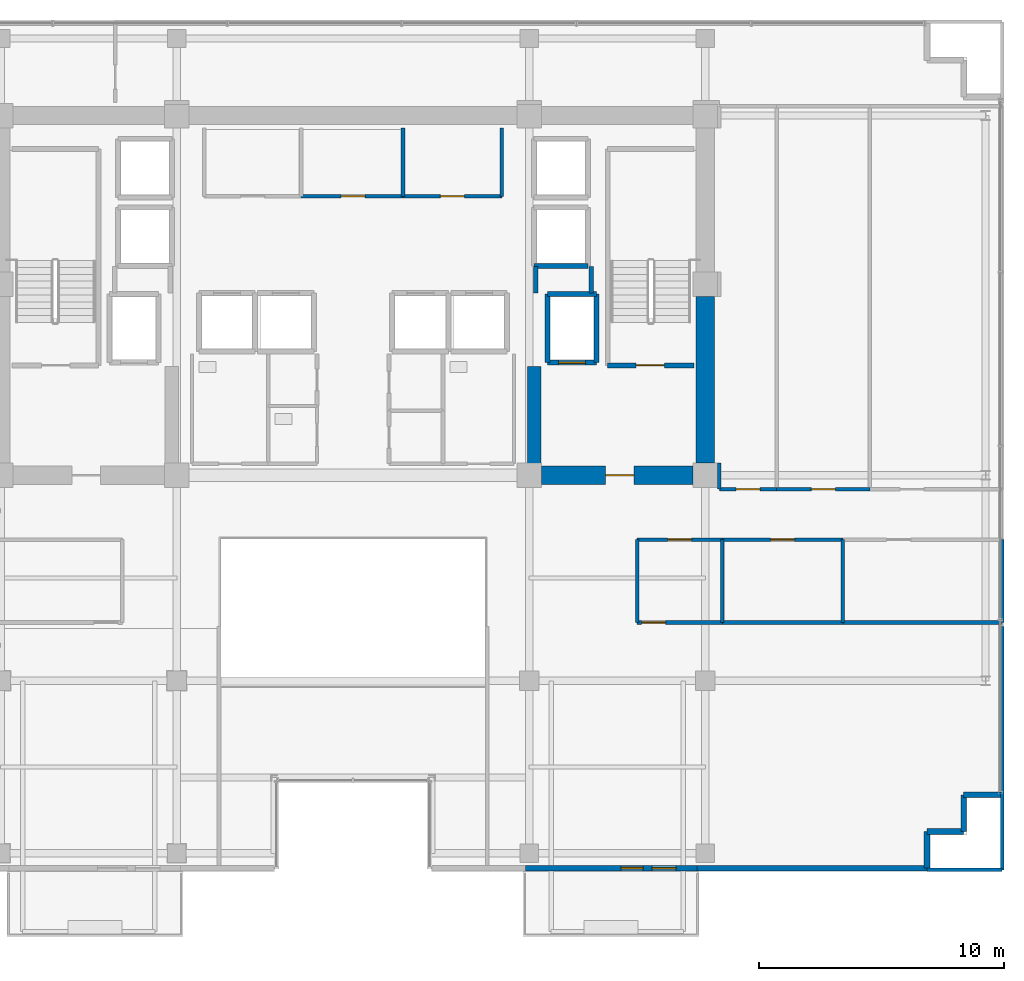
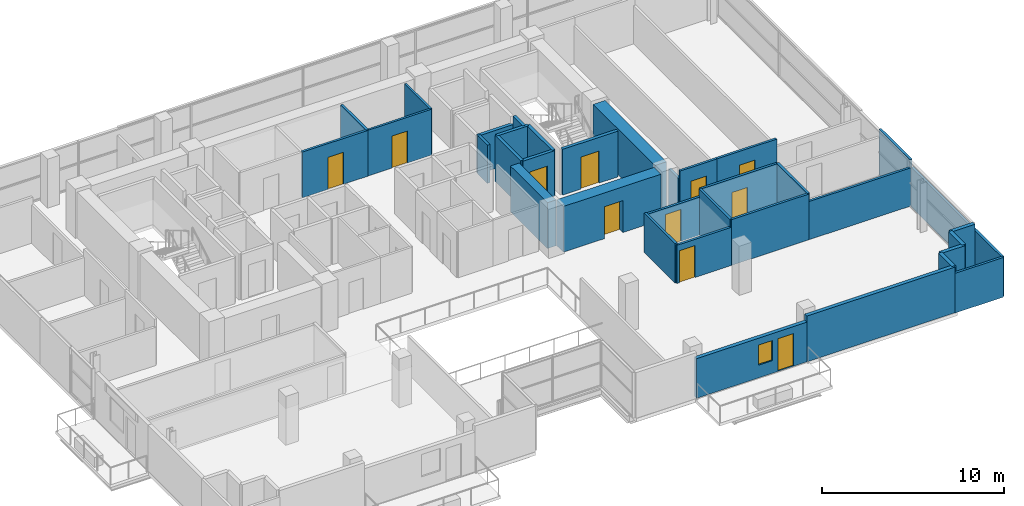
# One storey, part 17 of 22: 35 walls, 11 doors, 1 window, 12 openings.
"""IFC4 building model written with IfcOpenShell, lengths in metres."""

from ifc_helpers import new_model, si_unit, direction, frame, frame_2d, origin, place, context, subcontext, project, spatial, rectangle, extrude, source, transform, mapped, material, layer, layer_set, type_object, element, fill, save


model = new_model("IFC4")

# Units and contexts
model_context = context("Model", 3, precision=1e-05, world=origin(), true_north=direction((0.0, 1.0)))
body_context = subcontext(model_context, "Body", "Model", "MODEL_VIEW")
ifc_project = project(units=[si_unit("LENGTHUNIT", "METRE"), si_unit("AREAUNIT", "SQUARE_METRE"), si_unit("VOLUMEUNIT", "CUBIC_METRE"), si_unit("PLANEANGLEUNIT", "RADIAN"), si_unit("MASSUNIT", "GRAM", prefix="KILO")], contexts=[model_context])

# Site, building, storey
site_placement = place(None, origin())
site = spatial("IfcSite", under=ifc_project, at=site_placement, CompositionType="ELEMENT")
building_placement = place(site_placement, origin())
building = spatial("IfcBuilding", under=site, at=building_placement, Name="Zarnakvel Exchange Tower", CompositionType="ELEMENT")
storey_placement = place(building_placement, frame((0.0, 0.0, 192.39990234375)))
storey = spatial("IfcBuildingStorey", under=building, at=storey_placement, Name="L54", CompositionType="ELEMENT", Elevation=192.39990234375)

# Wall
ifc_material_1 = material(Name="Concrete C60/75", Category="concrete")
ifc_layer_1 = layer(ifc_material_1, 0.75)
ifc_layer_set_1 = layer_set([ifc_layer_1], Name="Concrete C60/75")
wall_type_1 = type_object("IfcWallType", Name="CW-C3", PredefinedType="SHEAR", material=ifc_layer_set_1)
wall_1_placement = place(storey_placement, frame((14.39990234375, -0.699951171875, 0.0), z_axis=(0.0, 0.0, 1.0), x_axis=(0.0, 1.0, 0.0)))
element("IfcWall", 1, at=wall_1_placement, inside=storey, type_object=wall_type_1, Name="L54 Rear Core Shear Wall E1 (CW-C3)", PredefinedType="SHEAR", context=body_context, shape_type="SweptSolid", body=[
    extrude(rectangle(XDim=6.800048828125, YDim=0.75, at=frame_2d((3.39990234375, 0.0))), origin(), (0.0, 0.0, 1.0), 3.0751953125),
])

# Wall, opening, door
wall_2_placement = place(storey_placement, frame((13.89990234375, -1.199951171875, 0.0), z_axis=(0.0, 0.0, 1.0), x_axis=(-1.0, 0.0, 0.0)))
wall_2 = element("IfcWall", 2, at=wall_2_placement, inside=storey, type_object=wall_type_1, Name="L54 Rear Core Shear Wall SE (CW-C3)", PredefinedType="SHEAR", context=body_context, shape_type="SweptSolid", body=[
    extrude(rectangle(XDim=6.199951171875, YDim=0.75, at=frame_2d((3.10009765625, 0.0))), origin(), (0.0, 0.0, 1.0), 3.0751953125),
])
opening_1_placement = place(wall_2_placement, frame((2.425048828125, 0.0, 0.0)))
opening_1 = element("IfcOpeningElement", 3, at=opening_1_placement, cuts=wall_2, Name="Opening D-L54-04", PredefinedType="OPENING", context=body_context, shape_type="SweptSolid", body=[
    extrude(rectangle(XDim=1.14990234375, YDim=2.14990234375, at=frame_2d((0.574951171875, 1.074951171875))), frame((0.0, 0.385009765625, 0.0), z_axis=(0.0, -1.0, 0.0), x_axis=(1.0, 0.0, 0.0)), (0.0, 0.0, 1.0), 0.77001953125),
])
ifc_material_2 = material(Name="Painted Galvanised Steel S355", Category="steel")
door_type_1 = type_object("IfcDoorType", Name="DT-04", OperationType="NOTDEFINED", PredefinedType="DOOR", material=ifc_material_2)
shared_shape_1 = source(origin(), body_context, "Body", "SweptSolid", [
    extrude(rectangle(XDim=1.14990234375, YDim=2.14990234375, at=frame_2d((0.574951171875, 1.074951171875))), frame((0.0, 0.02490234375, 0.0), z_axis=(0.0, -1.0, 0.0), x_axis=(1.0, 0.0, 0.0)), (0.0, 0.0, 1.0), 0.050048828125),
])
door_1_placement = place(opening_1_placement, origin())
door_1 = element("IfcDoor", 4, at=door_1_placement, inside=storey, type_object=door_type_1, Name="L54 Firefighting Lobby East Door D-L54-04", OperationType="SINGLE_SWING_LEFT", OverallHeight=2.14990234375, OverallWidth=1.14990234375, PredefinedType="DOOR", context=body_context, shape_type="MappedRepresentation", body=[
    mapped(shared_shape_1, transform((0.0, 0.0, 0.0), x_axis=(1.0, 0.0, 0.0), y_axis=(0.0, 1.0, 0.0), z_axis=(0.0, 0.0, 1.0), scale=1.0)),
])
fill(opening_1, door_1)

# Wall
ifc_layer_2 = layer(ifc_material_1, 0.550048828125)
ifc_layer_set_2 = layer_set([ifc_layer_2], Name="Concrete C60/75")
wall_type_2 = type_object("IfcWallType", Name="CW-C4", PredefinedType="SHEAR", material=ifc_layer_set_2)
wall_3_placement = place(storey_placement, frame((7.39990234375, -0.824951171875, 0.0), z_axis=(0.0, 0.0, 1.0), x_axis=(0.0, 1.0, 0.0)))
element("IfcWall", 5, at=wall_3_placement, inside=storey, type_object=wall_type_2, Name="L54 Rear Core Shear Wall IE (CW-C4)", PredefinedType="SHEAR", context=body_context, shape_type="SweptSolid", body=[
    extrude(rectangle(XDim=4.074951171875, YDim=0.550048828125, at=frame_2d((2.03759765625, 0.0))), origin(), (0.0, 0.0, 1.0), 3.0751953125),
])

# Wall, openings, door, window
ifc_material_3 = material(Name="Precast concrete C40/50", Category="concrete")
ifc_layer_3 = layer(ifc_material_3, 0.239990234375)
ifc_layer_set_3 = layer_set([ifc_layer_3], Name="Precast concrete C40/50")
wall_type_3 = type_object("IfcWallType", Name="EW-02", PredefinedType="SOLIDWALL", material=ifc_layer_set_3)
wall_4_placement = place(storey_placement, frame((14.050048828125, -17.260009765625, 0.0), z_axis=(0.0, 0.0, 1.0), x_axis=(-1.0, 0.0, 0.0)))
wall_4 = element("IfcWall", 6, at=wall_4_placement, inside=storey, type_object=wall_type_3, Name="L54 Exterior Precast Spandrel Wall EW-BAL-L54-SE (EW-02)", PredefinedType="SOLIDWALL", context=body_context, shape_type="SweptSolid", body=[
    extrude(rectangle(XDim=7.0, YDim=0.239990234375, at=frame_2d((3.5, 0.0))), origin(), (0.0, 0.0, 1.0), 2.6650390625),
])
opening_2_placement = place(wall_4_placement, frame((0.840087890625, 0.0, 0.0)))
opening_2 = element("IfcOpeningElement", 7, at=opening_2_placement, cuts=wall_4, Name="Opening BD-L54-02", PredefinedType="OPENING", context=body_context, shape_type="SweptSolid", body=[
    extrude(rectangle(XDim=1.0, YDim=2.199951171875, at=frame_2d((0.5, 1.10009765625))), frame((0.0, 0.1298828125, 0.0), z_axis=(0.0, -1.0, 0.0), x_axis=(1.0, 0.0, 0.0)), (0.0, 0.0, 1.0), 0.260009765625),
])
opening_3_placement = place(wall_4_placement, frame((2.18994140625, 0.0, 0.85009765625)))
opening_3 = element("IfcOpeningElement", 8, at=opening_3_placement, cuts=wall_4, Name="Opening WN-06", PredefinedType="OPENING", context=body_context, shape_type="SweptSolid", body=[
    extrude(rectangle(XDim=0.89990234375, YDim=1.35009765625, at=frame_2d((0.449951171875, 0.675048828125))), frame((0.0, 0.1298828125, 0.0), z_axis=(0.0, -1.0, 0.0), x_axis=(1.0, 0.0, 0.0)), (0.0, 0.0, 1.0), 0.260009765625),
])
ifc_material_4 = material(Name="Architectural Bronze Anodised Aluminium", Category="aluminium")
door_type_2 = type_object("IfcDoorType", Name="DT-09", OperationType="NOTDEFINED", PredefinedType="DOOR", material=ifc_material_4)
shared_shape_2 = source(origin(), body_context, "Body", "SweptSolid", [
    extrude(rectangle(XDim=1.0, YDim=2.199951171875, at=frame_2d((0.5, 1.10009765625))), frame((0.0, 0.02490234375, 0.0), z_axis=(0.0, -1.0, 0.0), x_axis=(1.0, 0.0, 0.0)), (0.0, 0.0, 1.0), 0.050048828125),
])
door_2_placement = place(opening_2_placement, origin())
door_2 = element("IfcDoor", 9, at=door_2_placement, inside=storey, type_object=door_type_2, Name="L54 Planted Loggia Balcony Door BD-L54-02", OperationType="SINGLE_SWING_LEFT", OverallHeight=2.199951171875, OverallWidth=1.0, PredefinedType="DOOR", context=body_context, shape_type="MappedRepresentation", body=[
    mapped(shared_shape_2, transform((0.0, 0.0, 0.0), x_axis=(1.0, 0.0, 0.0), y_axis=(0.0, 1.0, 0.0), z_axis=(0.0, 0.0, 1.0), scale=1.0)),
])
fill(opening_2, door_2)
ifc_material_5 = material(Name="Double Low-E Laminated Vision Glass", Category="glass")
window_type = type_object("IfcWindowType", Name="WN-06", PartitioningType="SINGLE_PANEL", PredefinedType="WINDOW", material=ifc_material_5)
shared_shape_3 = source(origin(), body_context, "Body", "SweptSolid", [
    extrude(rectangle(XDim=0.89990234375, YDim=1.35009765625, at=frame_2d((0.449951171875, 0.675048828125))), frame((0.0, 0.030029296875, 0.0), z_axis=(0.0, -1.0, 0.0), x_axis=(1.0, 0.0, 0.0)), (0.0, 0.0, 1.0), 0.06005859375),
])
window_placement = place(opening_3_placement, origin())
window = element("IfcWindow", 10, at=window_placement, inside=storey, type_object=window_type, Name="L54 Loggia Daylight Window (WN-06)", OverallHeight=1.35009765625, OverallWidth=0.89990234375, PartitioningType="SINGLE_PANEL", PredefinedType="WINDOW", context=body_context, shape_type="MappedRepresentation", body=[
    mapped(shared_shape_3, transform((0.0, 0.0, 0.0), x_axis=(1.0, 0.0, 0.0), y_axis=(0.0, 1.0, 0.0), z_axis=(0.0, 0.0, 1.0), scale=1.0)),
])
fill(opening_3, window)

# Walls
for number, where, z_axis, x_axis, name in (
    (11, (24.9599609375, -14.260009765625, 0.0), (0.0, 0.0, 1.0), (1.0, 0.0, 0.0), "L54 Exterior Precast Spandrel Wall EWC-L54-11 (EW-02)"),
    (12, (24.9599609375, -15.760009765625, 0.0), (0.0, 0.0, 1.0), (0.0, 1.0, 0.0), "L54 Exterior Precast Spandrel Wall EWC-L54-12 (EW-02)"),
    (13, (23.4599609375, -15.760009765625, 0.0), (0.0, 0.0, 1.0), (1.0, 0.0, 0.0), "L54 Exterior Precast Spandrel Wall EWC-L54-13 (EW-02)"),
    (14, (23.4599609375, -17.260009765625, 0.0), (0.0, 0.0, 1.0), (0.0, 1.0, 0.0), "L54 Exterior Precast Spandrel Wall EWC-L54-14 (EW-02)"),
):
    element("IfcWall", number, at=place(storey_placement, frame(where, z_axis=z_axis, x_axis=x_axis)), inside=storey, type_object=wall_type_3, Name=name, PredefinedType="SOLIDWALL", context=body_context, shape_type="SweptSolid", body=[
        extrude(rectangle(XDim=1.5, YDim=0.239990234375, at=frame_2d((0.75, 0.0))), origin(), (0.0, 0.0, 1.0), 3.0751953125),
    ])
wall_5_placement = place(storey_placement, frame((14.050048828125, -17.260009765625, 0.0), z_axis=(0.0, 0.0, 1.0), x_axis=(1.0, 0.0, 0.0)))
element("IfcWall", 15, at=wall_5_placement, inside=storey, type_object=wall_type_3, Name="L54 Exterior Precast Spandrel Wall EWC-L54-15 (EW-02)", PredefinedType="SOLIDWALL", context=body_context, shape_type="SweptSolid", body=[
    extrude(rectangle(XDim=9.409912109375, YDim=0.239990234375, at=frame_2d((4.705078125, 0.0))), origin(), (0.0, 0.0, 1.0), 3.0751953125),
])

# Wall, opening, door
ifc_material_6 = material(Name="Fire-Rated Gypsum Stud Partition", Category="gypsum")
ifc_layer_4 = layer(ifc_material_6, 0.14990234375)
ifc_layer_set_4 = layer_set([ifc_layer_4], Name="Fire-Rated Gypsum Stud Partition")
wall_type_4 = type_object("IfcWallType", Name="PT-01", PredefinedType="PARTITIONING", material=ifc_layer_set_4)
wall_6_placement = place(storey_placement, frame((2.0400390625, 10.199951171875, 0.0), z_axis=(0.0, 0.0, 1.0), x_axis=(-1.0, 0.0, 0.0)))
wall_6 = element("IfcWall", 16, at=wall_6_placement, inside=storey, type_object=wall_type_4, Name="L54 Partition Wall PWALL-L54-014 (PT-01)", PredefinedType="PARTITIONING", context=body_context, shape_type="SweptSolid", body=[
    extrude(rectangle(XDim=4.16015625, YDim=0.14990234375, at=frame_2d((2.080078125, 0.0))), origin(), (0.0, 0.0, 1.0), 3.0751953125),
])
opening_4_placement = place(wall_6_placement, frame((1.550048828125, 0.0, 0.0)))
opening_4 = element("IfcOpeningElement", 17, at=opening_4_placement, cuts=wall_6, Name="Opening D-L54-06", PredefinedType="OPENING", context=body_context, shape_type="SweptSolid", body=[
    extrude(rectangle(XDim=0.97998046875, YDim=2.14990234375, at=frame_2d((0.489990234375, 1.074951171875))), frame((0.0, 0.0849609375, 0.0), z_axis=(0.0, -1.0, 0.0), x_axis=(1.0, 0.0, 0.0)), (0.0, 0.0, 1.0), 0.169921875),
])
ifc_material_7 = material(Name="Timber Acoustic Veneer", Category="wood")
door_type_3 = type_object("IfcDoorType", Name="DT-05", OperationType="NOTDEFINED", PredefinedType="DOOR", material=ifc_material_7)
shared_shape_4 = source(origin(), body_context, "Body", "SweptSolid", [
    extrude(rectangle(XDim=0.97998046875, YDim=2.14990234375, at=frame_2d((0.489990234375, 1.074951171875))), frame((0.0, 0.02490234375, 0.0), z_axis=(0.0, -1.0, 0.0), x_axis=(1.0, 0.0, 0.0)), (0.0, 0.0, 1.0), 0.050048828125),
])
door_3_placement = place(opening_4_placement, origin())
door_3 = element("IfcDoor", 18, at=door_3_placement, inside=storey, type_object=door_type_3, Name="L54 Brokerage Filing Room Door D-L54-06", OperationType="SINGLE_SWING_LEFT", OverallHeight=2.14990234375, OverallWidth=0.97998046875, PredefinedType="DOOR", context=body_context, shape_type="MappedRepresentation", body=[
    mapped(shared_shape_4, transform((0.0, 0.0, 0.0), x_axis=(1.0, 0.0, 0.0), y_axis=(0.0, 1.0, 0.0), z_axis=(0.0, 0.0, 1.0), scale=1.0)),
])
fill(opening_4, door_3)

# Wall
wall_7_placement = place(storey_placement, frame((2.0400390625, 13.0, 0.0), z_axis=(0.0, 0.0, 1.0), x_axis=(0.0, -1.0, 0.0)))
element("IfcWall", 19, at=wall_7_placement, inside=storey, type_object=wall_type_4, Name="L54 Partition Wall PWALL-L54-015 (PT-01)", PredefinedType="PARTITIONING", context=body_context, shape_type="SweptSolid", body=[
    extrude(rectangle(XDim=2.800048828125, YDim=0.14990234375, at=frame_2d((1.39990234375, 0.0))), origin(), (0.0, 0.0, 1.0), 3.0751953125),
])

# Wall, opening, door
wall_8_placement = place(storey_placement, frame((15.09228515625, -7.219970703125, 0.0), z_axis=(0.0, 0.0, 1.0), x_axis=(-1.0, 0.0, 0.0)))
wall_8 = element("IfcWall", 20, at=wall_8_placement, inside=storey, type_object=wall_type_4, Name="L54 Partition Wall PWALL-L54-040 (PT-01)", PredefinedType="PARTITIONING", context=body_context, shape_type="SweptSolid", body=[
    extrude(rectangle(XDim=3.48095703125, YDim=0.14990234375, at=frame_2d((1.740478515625, 0.0))), origin(), (0.0, 0.0, 1.0), 2.565185546875),
])
opening_5_placement = place(wall_8_placement, frame((2.32080078125, 0.0, 0.0)))
opening_5 = element("IfcOpeningElement", 21, at=opening_5_placement, cuts=wall_8, Name="Opening D-L54-19", PredefinedType="OPENING", context=body_context, shape_type="SweptSolid", body=[
    extrude(rectangle(XDim=0.97998046875, YDim=2.14990234375, at=frame_2d((0.489990234375, 1.074951171875))), frame((0.0, 0.0849609375, 0.0), z_axis=(0.0, -1.0, 0.0), x_axis=(1.0, 0.0, 0.0)), (0.0, 0.0, 1.0), 0.169921875),
])
door_4_placement = place(opening_5_placement, origin())
door_4 = element("IfcDoor", 22, at=door_4_placement, inside=storey, type_object=door_type_3, Name="L54 Corporate Advisory Suite Door D-L54-19", OperationType="SINGLE_SWING_RIGHT", OverallHeight=2.14990234375, OverallWidth=0.97998046875, PredefinedType="DOOR", context=body_context, shape_type="MappedRepresentation", body=[
    mapped(shared_shape_4, transform((0.0, 0.0, 0.0), x_axis=(1.0, 0.0, 0.0), y_axis=(0.0, 1.0, 0.0), z_axis=(0.0, 0.0, 1.0), scale=1.0)),
])
fill(opening_5, door_4)

wall_9_placement = place(storey_placement, frame((11.611328125, -3.830078125, 0.0), z_axis=(0.0, 0.0, 1.0), x_axis=(1.0, 0.0, 0.0)))
wall_9 = element("IfcWall", 23, at=wall_9_placement, inside=storey, type_object=wall_type_4, Name="L54 Partition Wall PWALL-L54-041 (PT-01)", PredefinedType="PARTITIONING", context=body_context, shape_type="SweptSolid", body=[
    extrude(rectangle(XDim=3.48095703125, YDim=0.14990234375, at=frame_2d((1.740478515625, 0.0))), origin(), (0.0, 0.0, 1.0), 2.565185546875),
])
opening_6_placement = place(wall_9_placement, frame((1.25048828125, 0.0, 0.0)))
opening_6 = element("IfcOpeningElement", 24, at=opening_6_placement, cuts=wall_9, Name="Opening D-L54-16", PredefinedType="OPENING", context=body_context, shape_type="SweptSolid", body=[
    extrude(rectangle(XDim=0.97998046875, YDim=2.14990234375, at=frame_2d((0.489990234375, 1.074951171875))), frame((0.0, 0.0849609375, 0.0), z_axis=(0.0, -1.0, 0.0), x_axis=(1.0, 0.0, 0.0)), (0.0, 0.0, 1.0), 0.169921875),
])
door_5_placement = place(opening_6_placement, origin())
door_5 = element("IfcDoor", 25, at=door_5_placement, inside=storey, type_object=door_type_3, Name="L54 Conference Room Door D-L54-16", OperationType="SINGLE_SWING_LEFT", OverallHeight=2.14990234375, OverallWidth=0.97998046875, PredefinedType="DOOR", context=body_context, shape_type="MappedRepresentation", body=[
    mapped(shared_shape_4, transform((0.0, 0.0, 0.0), x_axis=(1.0, 0.0, 0.0), y_axis=(0.0, 1.0, 0.0), z_axis=(0.0, 0.0, 1.0), scale=1.0)),
])
fill(opening_6, door_5)

# Walls
wall_10_placement = place(storey_placement, frame((11.611328125, -7.219970703125, 0.0), z_axis=(0.0, 0.0, 1.0), x_axis=(0.0, 1.0, 0.0)))
element("IfcWall", 26, at=wall_10_placement, inside=storey, type_object=wall_type_4, Name="L54 Partition Wall PWALL-L54-042 (PT-01)", PredefinedType="PARTITIONING", context=body_context, shape_type="SweptSolid", body=[
    extrude(rectangle(XDim=3.389892578125, YDim=0.14990234375, at=frame_2d((1.69482421875, 0.0))), origin(), (0.0, 0.0, 1.0), 2.6650390625),
])
wall_11_placement = place(storey_placement, frame((15.09228515625, -3.830078125, 0.0), z_axis=(0.0, 0.0, 1.0), x_axis=(0.0, -1.0, 0.0)))
element("IfcWall", 27, at=wall_11_placement, inside=storey, type_object=wall_type_4, Name="L54 Partition Wall PWALL-L54-043 (PT-01)", PredefinedType="PARTITIONING", context=body_context, shape_type="SweptSolid", body=[
    extrude(rectangle(XDim=3.389892578125, YDim=0.14990234375, at=frame_2d((1.69482421875, 0.0))), origin(), (0.0, 0.0, 1.0), 3.0751953125),
])
wall_12_placement = place(storey_placement, frame((20.01708984375, -7.219970703125, 0.0), z_axis=(0.0, 0.0, 1.0), x_axis=(-1.0, 0.0, 0.0)))
element("IfcWall", 28, at=wall_12_placement, inside=storey, type_object=wall_type_4, Name="L54 Partition Wall PWALL-L54-044 (PT-01)", PredefinedType="PARTITIONING", context=body_context, shape_type="SweptSolid", body=[
    extrude(rectangle(XDim=4.9248046875, YDim=0.14990234375, at=frame_2d((2.46240234375, 0.0))), origin(), (0.0, 0.0, 1.0), 3.0751953125),
])

# Wall, opening, door
wall_13_placement = place(storey_placement, frame((15.09228515625, -3.830078125, 0.0), z_axis=(0.0, 0.0, 1.0), x_axis=(1.0, 0.0, 0.0)))
wall_13 = element("IfcWall", 29, at=wall_13_placement, inside=storey, type_object=wall_type_4, Name="L54 Partition Wall PWALL-L54-045 (PT-01)", PredefinedType="PARTITIONING", context=body_context, shape_type="SweptSolid", body=[
    extrude(rectangle(XDim=4.9248046875, YDim=0.14990234375, at=frame_2d((2.46240234375, 0.0))), origin(), (0.0, 0.0, 1.0), 3.0751953125),
])
opening_7_placement = place(wall_13_placement, frame((1.97265625, 0.0, 0.0)))
opening_7 = element("IfcOpeningElement", 30, at=opening_7_placement, cuts=wall_13, Name="Opening D-L54-17", PredefinedType="OPENING", context=body_context, shape_type="SweptSolid", body=[
    extrude(rectangle(XDim=0.97998046875, YDim=2.14990234375, at=frame_2d((0.489990234375, 1.074951171875))), frame((0.0, 0.0849609375, 0.0), z_axis=(0.0, -1.0, 0.0), x_axis=(1.0, 0.0, 0.0)), (0.0, 0.0, 1.0), 0.169921875),
])
door_6_placement = place(opening_7_placement, origin())
door_6 = element("IfcDoor", 31, at=door_6_placement, inside=storey, type_object=door_type_3, Name="L54 Executive Pantry Door D-L54-17", OperationType="SINGLE_SWING_RIGHT", OverallHeight=2.14990234375, OverallWidth=0.97998046875, PredefinedType="DOOR", context=body_context, shape_type="MappedRepresentation", body=[
    mapped(shared_shape_4, transform((0.0, 0.0, 0.0), x_axis=(1.0, 0.0, 0.0), y_axis=(0.0, 1.0, 0.0), z_axis=(0.0, 0.0, 1.0), scale=1.0)),
])
fill(opening_7, door_6)

# Walls
wall_14_placement = place(storey_placement, frame((20.01708984375, -3.830078125, 0.0), z_axis=(0.0, 0.0, 1.0), x_axis=(0.0, -1.0, 0.0)))
element("IfcWall", 32, at=wall_14_placement, inside=storey, type_object=wall_type_4, Name="L54 Partition Wall PWALL-L54-046 (PT-01)", PredefinedType="PARTITIONING", context=body_context, shape_type="SweptSolid", body=[
    extrude(rectangle(XDim=3.389892578125, YDim=0.14990234375, at=frame_2d((1.69482421875, 0.0))), origin(), (0.0, 0.0, 1.0), 3.0751953125),
])
wall_15_placement = place(storey_placement, frame((26.530029296875, -7.219970703125, 0.0), z_axis=(0.0, 0.0, 1.0), x_axis=(-1.0, 0.0, 0.0)))
element("IfcWall", 33, at=wall_15_placement, inside=storey, type_object=wall_type_4, Name="L54 Partition Wall PWALL-L54-047 (PT-01)", PredefinedType="PARTITIONING", context=body_context, shape_type="SweptSolid", body=[
    extrude(rectangle(XDim=6.512939453125, YDim=0.14990234375, at=frame_2d((3.25634765625, 0.0))), origin(), (0.0, 0.0, 1.0), 2.565185546875),
])
wall_16_placement = place(storey_placement, frame((26.530029296875, -3.830078125, 0.0), z_axis=(0.0, 0.0, 1.0), x_axis=(0.0, -1.0, 0.0)))
element("IfcWall", 34, at=wall_16_placement, inside=storey, type_object=wall_type_4, Name="L54 Partition Wall PWALL-L54-049 (PT-01)", PredefinedType="PARTITIONING", context=body_context, shape_type="SweptSolid", body=[
    extrude(rectangle(XDim=3.389892578125, YDim=0.14990234375, at=frame_2d((1.69482421875, 0.0))), origin(), (0.0, 0.0, 1.0), 3.0751953125),
])
wall_17_placement = place(storey_placement, frame((26.530029296875, -17.330078125, 0.0), z_axis=(0.0, 0.0, 1.0), x_axis=(-1.0, 0.0, 0.0)))
element("IfcWall", 35, at=wall_17_placement, inside=storey, type_object=wall_type_4, Name="L54 Partition Wall PWALL-L54-050 (PT-01)", PredefinedType="PARTITIONING", context=body_context, shape_type="SweptSolid", body=[
    extrude(rectangle(XDim=3.070068359375, YDim=0.14990234375, at=frame_2d((1.53515625, 0.0))), origin(), (0.0, 0.0, 1.0), 2.6650390625),
])
wall_18_placement = place(storey_placement, frame((26.530029296875, -7.3798828125, 0.0), z_axis=(0.0, 0.0, 1.0), x_axis=(0.0, -1.0, 0.0)))
element("IfcWall", 36, at=wall_18_placement, inside=storey, type_object=wall_type_4, Name="L54 Partition Wall PWALL-L54-052 (PT-01)", PredefinedType="PARTITIONING", context=body_context, shape_type="SweptSolid", body=[
    extrude(rectangle(XDim=9.9501953125, YDim=0.14990234375, at=frame_2d((4.97509765625, 0.0))), origin(), (0.0, 0.0, 1.0), 2.6650390625),
])

# Wall, opening, door
wall_19_placement = place(storey_placement, frame((17.31689453125, -1.77001953125, 0.0), z_axis=(0.0, 0.0, 1.0), x_axis=(-1.0, 0.0, 0.0)))
wall_19 = element("IfcWall", 37, at=wall_19_placement, inside=storey, type_object=wall_type_4, Name="L54 Partition Wall PWALL-L54-063 (PT-01)", PredefinedType="PARTITIONING", context=body_context, shape_type="SweptSolid", body=[
    extrude(rectangle(XDim=2.346923828125, YDim=0.14990234375, at=frame_2d((1.17333984375, 0.0))), origin(), (0.0, 0.0, 1.0), 3.0751953125),
])
opening_8_placement = place(wall_19_placement, frame((0.683837890625, 0.0, 0.0)))
opening_8 = element("IfcOpeningElement", 38, at=opening_8_placement, cuts=wall_19, Name="Opening D-L54-23", PredefinedType="OPENING", context=body_context, shape_type="SweptSolid", body=[
    extrude(rectangle(XDim=0.97998046875, YDim=2.14990234375, at=frame_2d((0.489990234375, 1.074951171875))), frame((0.0, 0.0849609375, 0.0), z_axis=(0.0, -1.0, 0.0), x_axis=(1.0, 0.0, 0.0)), (0.0, 0.0, 1.0), 0.169921875),
])
door_7_placement = place(opening_8_placement, origin())
door_7 = element("IfcDoor", 39, at=door_7_placement, inside=storey, type_object=door_type_3, Name="L54 Executive Pantry Door D-L54-23", OperationType="SINGLE_SWING_RIGHT", OverallHeight=2.14990234375, OverallWidth=0.97998046875, PredefinedType="DOOR", context=body_context, shape_type="MappedRepresentation", body=[
    mapped(shared_shape_4, transform((0.0, 0.0, 0.0), x_axis=(1.0, 0.0, 0.0), y_axis=(0.0, 1.0, 0.0), z_axis=(0.0, 0.0, 1.0), scale=1.0)),
])
fill(opening_8, door_7)

# Wall
wall_20_placement = place(storey_placement, frame((14.969970703125, -1.77001953125, 0.0), z_axis=(0.0, 0.0, 1.0), x_axis=(0.0, 1.0, 0.0)))
element("IfcWall", 40, at=wall_20_placement, inside=storey, type_object=wall_type_4, Name="L54 Partition Wall PWALL-L54-065 (PT-01)", PredefinedType="PARTITIONING", context=body_context, shape_type="SweptSolid", body=[
    extrude(rectangle(XDim=1.070068359375, YDim=0.14990234375, at=frame_2d((0.53515625, 0.0))), origin(), (0.0, 0.0, 1.0), 2.565185546875),
])

# Wall, opening, door
wall_21_placement = place(storey_placement, frame((21.12158203125, -1.77001953125, 0.0), z_axis=(0.0, 0.0, 1.0), x_axis=(-1.0, 0.0, 0.0)))
wall_21 = element("IfcWall", 41, at=wall_21_placement, inside=storey, type_object=wall_type_4, Name="L54 Partition Wall PWALL-L54-069 (PT-01)", PredefinedType="PARTITIONING", context=body_context, shape_type="SweptSolid", body=[
    extrude(rectangle(XDim=3.8046875, YDim=0.14990234375, at=frame_2d((1.90234375, 0.0))), origin(), (0.0, 0.0, 1.0), 3.0751953125),
])
opening_9_placement = place(wall_21_placement, frame((1.41259765625, 0.0, 0.0)))
opening_9 = element("IfcOpeningElement", 42, at=opening_9_placement, cuts=wall_21, Name="Opening D-L54-24", PredefinedType="OPENING", context=body_context, shape_type="SweptSolid", body=[
    extrude(rectangle(XDim=0.97998046875, YDim=2.14990234375, at=frame_2d((0.489990234375, 1.074951171875))), frame((0.0, 0.0849609375, 0.0), z_axis=(0.0, -1.0, 0.0), x_axis=(1.0, 0.0, 0.0)), (0.0, 0.0, 1.0), 0.169921875),
])
door_8_placement = place(opening_9_placement, origin())
door_8 = element("IfcDoor", 43, at=door_8_placement, inside=storey, type_object=door_type_3, Name="L54 Legal Records Office Door D-L54-24", OperationType="SINGLE_SWING_LEFT", OverallHeight=2.14990234375, OverallWidth=0.97998046875, PredefinedType="DOOR", context=body_context, shape_type="MappedRepresentation", body=[
    mapped(shared_shape_4, transform((0.0, 0.0, 0.0), x_axis=(1.0, 0.0, 0.0), y_axis=(0.0, 1.0, 0.0), z_axis=(0.0, 0.0, 1.0), scale=1.0)),
])
fill(opening_9, door_8)

# Walls
ifc_layer_5 = layer(ifc_material_6, 0.179931640625)
ifc_layer_set_5 = layer_set([ifc_layer_5], Name="Fire-Rated Gypsum Stud Partition")
wall_type_5 = type_object("IfcWallType", Name="PT-02", PredefinedType="PARTITIONING", material=ifc_layer_set_5)
wall_22_placement = place(storey_placement, frame((7.469970703125, 6.239990234375, 0.0), z_axis=(0.0, 0.0, 1.0), x_axis=(0.0, 1.0, 0.0)))
element("IfcWall", 44, at=wall_22_placement, inside=storey, type_object=wall_type_5, Name="L54 Partition Wall PWALL-L54-009 (PT-02)", PredefinedType="PARTITIONING", context=body_context, shape_type="SweptSolid", body=[
    extrude(rectangle(XDim=1.090087890625, YDim=0.179931640625, at=frame_2d((0.544921875, 0.0))), origin(), (0.0, 0.0, 1.0), 2.565185546875),
])
wall_23_placement = place(storey_placement, frame((9.72998046875, 7.330078125, 0.0), z_axis=(0.0, 0.0, 1.0), x_axis=(0.0, -1.0, 0.0)))
element("IfcWall", 45, at=wall_23_placement, inside=storey, type_object=wall_type_5, Name="L54 Partition Wall PWALL-L54-010 (PT-02)", PredefinedType="PARTITIONING", context=body_context, shape_type="SweptSolid", body=[
    extrude(rectangle(XDim=1.090087890625, YDim=0.179931640625, at=frame_2d((0.544921875, 0.0))), origin(), (0.0, 0.0, 1.0), 3.0751953125),
])

# Wall, opening, door
ifc_material_8 = material(Name="Moisture-Resistant Tile-Faced Partition", Category="gypsum")
ifc_layer_6 = layer(ifc_material_8, 0.135009765625)
ifc_layer_set_6 = layer_set([ifc_layer_6], Name="Moisture-Resistant Tile-Faced Partition")
wall_type_6 = type_object("IfcWallType", Name="PT-03", PredefinedType="PARTITIONING", material=ifc_layer_set_6)
wall_24_placement = place(storey_placement, frame((6.080078125, 10.199951171875, 0.0), z_axis=(0.0, 0.0, 1.0), x_axis=(-1.0, 0.0, 0.0)))
wall_24 = element("IfcWall", 46, at=wall_24_placement, inside=storey, type_object=wall_type_6, Name="L54 Partition Wall PWALL-L54-016 (PT-03)", PredefinedType="PARTITIONING", context=body_context, shape_type="SweptSolid", body=[
    extrude(rectangle(XDim=4.0400390625, YDim=0.135009765625, at=frame_2d((2.02001953125, 0.0))), origin(), (0.0, 0.0, 1.0), 3.0751953125),
])
opening_10_placement = place(wall_24_placement, frame((1.530029296875, 0.0, 0.0)))
opening_10 = element("IfcOpeningElement", 47, at=opening_10_placement, cuts=wall_24, Name="Opening D-L54-07", PredefinedType="OPENING", context=body_context, shape_type="SweptSolid", body=[
    extrude(rectangle(XDim=0.97998046875, YDim=2.14990234375, at=frame_2d((0.489990234375, 1.074951171875))), frame((0.0, 0.077392578125, 0.0), z_axis=(0.0, -1.0, 0.0), x_axis=(1.0, 0.0, 0.0)), (0.0, 0.0, 1.0), 0.155029296875),
])
door_9_placement = place(opening_10_placement, origin())
door_9 = element("IfcDoor", 48, at=door_9_placement, inside=storey, type_object=door_type_3, Name="L54 Executive Tea Pantry Door D-L54-07", OperationType="SINGLE_SWING_RIGHT", OverallHeight=2.14990234375, OverallWidth=0.97998046875, PredefinedType="DOOR", context=body_context, shape_type="MappedRepresentation", body=[
    mapped(shared_shape_4, transform((0.0, 0.0, 0.0), x_axis=(1.0, 0.0, 0.0), y_axis=(0.0, 1.0, 0.0), z_axis=(0.0, 0.0, 1.0), scale=1.0)),
])
fill(opening_10, door_9)

# Wall
wall_25_placement = place(storey_placement, frame((6.080078125, 13.0, 0.0), z_axis=(0.0, 0.0, 1.0), x_axis=(0.0, -1.0, 0.0)))
element("IfcWall", 49, at=wall_25_placement, inside=storey, type_object=wall_type_6, Name="L54 Partition Wall PWALL-L54-017 (PT-03)", PredefinedType="PARTITIONING", context=body_context, shape_type="SweptSolid", body=[
    extrude(rectangle(XDim=2.800048828125, YDim=0.135009765625, at=frame_2d((1.39990234375, 0.0))), origin(), (0.0, 0.0, 1.0), 3.0751953125),
])

# Wall, opening, door
ifc_material_9 = material(Name="Concrete C40/50", Category="concrete")
ifc_layer_7 = layer(ifc_material_9, 0.199951171875)
ifc_layer_set_7 = layer_set([ifc_layer_7], Name="Concrete C40/50")
wall_type_7 = type_object("IfcWallType", Name="SW-01", PredefinedType="SOLIDWALL", material=ifc_layer_set_7)
wall_26_placement = place(storey_placement, frame((9.949951171875, 3.39990234375, 0.0), z_axis=(0.0, 0.0, 1.0), x_axis=(-1.0, 0.0, 0.0)))
wall_26 = element("IfcWall", 50, at=wall_26_placement, inside=storey, type_object=wall_type_7, Name="L54 FL-02 Hoistway Wall South", PredefinedType="SOLIDWALL", context=body_context, shape_type="SweptSolid", body=[
    extrude(rectangle(XDim=2.0, YDim=0.199951171875, at=frame_2d((1.0, 0.0))), origin(), (0.0, 0.0, 1.0), 3.0751953125),
])
opening_11_placement = place(wall_26_placement, frame((0.449951171875, 0.0, 0.0)))
opening_11 = element("IfcOpeningElement", 51, at=opening_11_placement, cuts=wall_26, Name="Opening LD-FL-02-L54", PredefinedType="OPENING", context=body_context, shape_type="SweptSolid", body=[
    extrude(rectangle(XDim=1.10009765625, YDim=2.199951171875, at=frame_2d((0.550048828125, 1.10009765625))), frame((0.0, 0.10986328125, 0.0), z_axis=(0.0, -1.0, 0.0), x_axis=(1.0, 0.0, 0.0)), (0.0, 0.0, 1.0), 0.219970703125),
])
ifc_material_10 = material(Name="Brushed Stainless Steel", Category="steel")
door_type_4 = type_object("IfcDoorType", Name="LDT-01", OperationType="NOTDEFINED", PredefinedType="DOOR", material=ifc_material_10)
shared_shape_5 = source(origin(), body_context, "Body", "SweptSolid", [
    extrude(rectangle(XDim=1.10009765625, YDim=2.199951171875, at=frame_2d((0.550048828125, 1.10009765625))), frame((0.0, 0.02490234375, 0.0), z_axis=(0.0, -1.0, 0.0), x_axis=(1.0, 0.0, 0.0)), (0.0, 0.0, 1.0), 0.050048828125),
])
door_10_placement = place(opening_11_placement, origin())
door_10 = element("IfcDoor", 52, at=door_10_placement, inside=storey, type_object=door_type_4, Name="L54 FL-02 Lift Landing Door LD-FL-02-L54", OperationType="DOUBLE_DOOR_SLIDING", OverallHeight=2.199951171875, OverallWidth=1.10009765625, PredefinedType="DOOR", context=body_context, shape_type="MappedRepresentation", body=[
    mapped(shared_shape_5, transform((0.0, 0.0, 0.0), x_axis=(1.0, 0.0, 0.0), y_axis=(0.0, 1.0, 0.0), z_axis=(0.0, 0.0, 1.0), scale=1.0)),
])
fill(opening_11, door_10)

# Walls
wall_27_placement = place(storey_placement, frame((7.949951171875, 6.199951171875, 0.0), z_axis=(0.0, 0.0, 1.0), x_axis=(1.0, 0.0, 0.0)))
element("IfcWall", 53, at=wall_27_placement, inside=storey, type_object=wall_type_7, Name="L54 FL-02 Hoistway Wall North", PredefinedType="SOLIDWALL", context=body_context, shape_type="SweptSolid", body=[
    extrude(rectangle(XDim=2.0, YDim=0.199951171875, at=frame_2d((1.0, 0.0))), origin(), (0.0, 0.0, 1.0), 3.0751953125),
])
for number, where, z_axis, x_axis, name in (
    (54, (7.949951171875, 3.39990234375, 0.0), (0.0, 0.0, 1.0), (0.0, 1.0, 0.0), "L54 FL-02 Hoistway Wall West"),
    (55, (9.949951171875, 6.199951171875, 0.0), (0.0, 0.0, 1.0), (0.0, -1.0, 0.0), "L54 FL-02 Hoistway Wall East"),
):
    element("IfcWall", number, at=place(storey_placement, frame(where, z_axis=z_axis, x_axis=x_axis)), inside=storey, type_object=wall_type_7, Name=name, PredefinedType="SOLIDWALL", context=body_context, shape_type="SweptSolid", body=[
        extrude(rectangle(XDim=2.800048828125, YDim=0.199951171875, at=frame_2d((1.39990234375, 0.0))), origin(), (0.0, 0.0, 1.0), 3.0751953125),
    ])
wall_28_placement = place(storey_placement, frame((9.60009765625, 7.35009765625, 0.0), z_axis=(0.0, 0.0, 1.0), x_axis=(-1.0, 0.0, 0.0)))
element("IfcWall", 56, at=wall_28_placement, inside=storey, type_object=wall_type_7, Name="L54 PL-11 Hoistway Wall South", PredefinedType="SOLIDWALL", context=body_context, shape_type="SweptSolid", body=[
    extrude(rectangle(XDim=2.2001953125, YDim=0.199951171875, at=frame_2d((1.10009765625, 0.0))), origin(), (0.0, 0.0, 1.0), 2.565185546875),
])

# Wall, opening, door
ifc_layer_8 = layer(ifc_material_9, 0.199951171875)
ifc_layer_set_8 = layer_set([ifc_layer_8], Name="Concrete C40/50")
wall_type_8 = type_object("IfcWallType", Name="SW-02", PredefinedType="SOLIDWALL", material=ifc_layer_set_8)
wall_29_placement = place(storey_placement, frame((13.929931640625, 3.2900390625, 0.0), z_axis=(0.0, 0.0, 1.0), x_axis=(-1.0, 0.0, 0.0)))
wall_29 = element("IfcWall", 57, at=wall_29_placement, inside=storey, type_object=wall_type_8, Name="L54 Stairwell Core Wall PWALL-L54-004 (SW-02)", PredefinedType="SOLIDWALL", context=body_context, shape_type="SweptSolid", body=[
    extrude(rectangle(XDim=3.52001953125, YDim=0.199951171875, at=frame_2d((1.760009765625, 0.0))), origin(), (0.0, 0.0, 1.0), 3.0751953125),
])
opening_12_placement = place(wall_29_placement, frame((1.205078125, 0.0, 0.0)))
opening_12 = element("IfcOpeningElement", 58, at=opening_12_placement, cuts=wall_29, Name="Opening D-L54-02", PredefinedType="OPENING", context=body_context, shape_type="SweptSolid", body=[
    extrude(rectangle(XDim=1.14990234375, YDim=2.14990234375, at=frame_2d((0.574951171875, 1.074951171875))), frame((0.0, 0.10986328125, 0.0), z_axis=(0.0, -1.0, 0.0), x_axis=(1.0, 0.0, 0.0)), (0.0, 0.0, 1.0), 0.219970703125),
])
door_11_placement = place(opening_12_placement, origin())
door_11 = element("IfcDoor", 59, at=door_11_placement, inside=storey, type_object=door_type_1, Name="L54 Stairwell ST-02 Door D-L54-02", OperationType="SINGLE_SWING_LEFT", OverallHeight=2.14990234375, OverallWidth=1.14990234375, PredefinedType="DOOR", context=body_context, shape_type="MappedRepresentation", body=[
    mapped(shared_shape_1, transform((0.0, 0.0, 0.0), x_axis=(1.0, 0.0, 0.0), y_axis=(0.0, 1.0, 0.0), z_axis=(0.0, 0.0, 1.0), scale=1.0)),
])
fill(opening_12, door_11)

save(model, "model.ifc")
